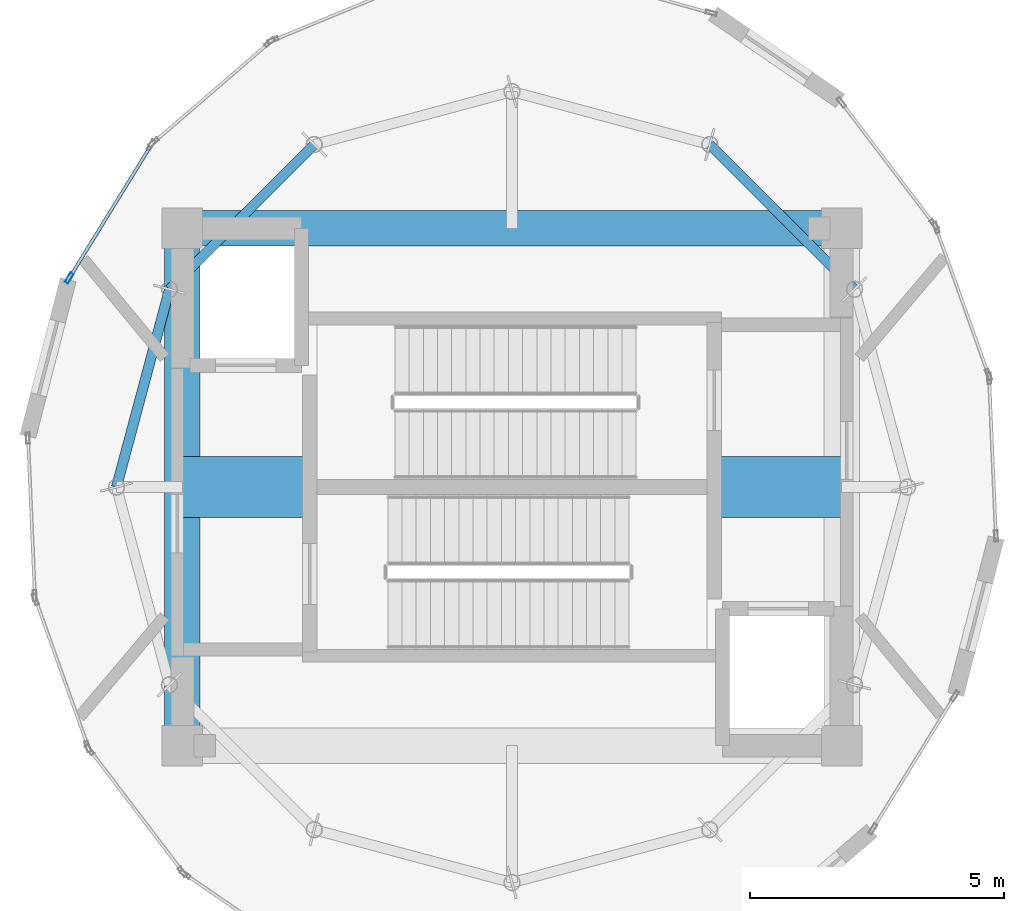
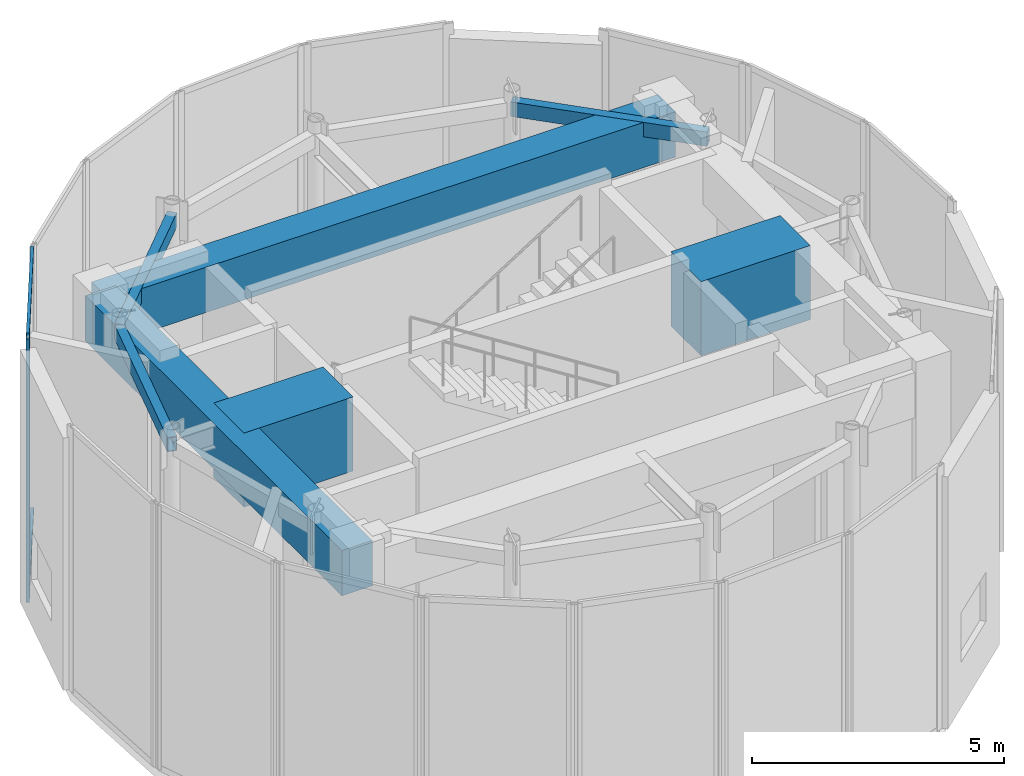
# One storey, part 3 of 8: 7 beams, 3 members, 1 element without a shape of its own.
"""IFC4 building model written with IfcOpenShell, lengths in metres."""

from ifc_helpers import new_model, si_unit, direction, frame, origin, origin_2d, place, context, subcontext, project, spatial, rectangle, hollow_rectangle, extrude, source, transform, mapped, material, layer, layer_set, material_profile, profile_set, type_object, element, aggregate, save


model = new_model("IFC4")

# Units and contexts
model_context = context("Model", 3, precision=1e-05, world=origin(), true_north=direction((0.0, 1.0)))
body_context = subcontext(model_context, "Body", "Model", "MODEL_VIEW")
ifc_project = project(units=[si_unit("LENGTHUNIT", "METRE"), si_unit("AREAUNIT", "SQUARE_METRE"), si_unit("VOLUMEUNIT", "CUBIC_METRE"), si_unit("PLANEANGLEUNIT", "RADIAN"), si_unit("MASSUNIT", "GRAM", prefix="KILO")], contexts=[model_context])

# Site, building, storey
site_placement = place(None, origin())
site = spatial("IfcSite", under=ifc_project, at=site_placement, CompositionType="ELEMENT")
building_placement = place(site_placement, origin())
building = spatial("IfcBuilding", under=site, at=building_placement, Name="Solvirekh Grand Hotel", CompositionType="ELEMENT")
storey_placement = place(building_placement, frame((0.0, 0.0, 327.39990234375)))
storey = spatial("IfcBuildingStorey", under=building, at=storey_placement, Name="L82", CompositionType="ELEMENT", Elevation=327.39990234375)

# Beams
ifc_material_1 = material(Name="Concrete C60/75", Category="concrete")
ifc_material_profile_1 = material_profile(ifc_material_1, rectangle(XDim=0.699951171875, YDim=1.10009765625, at=origin_2d()), Name="RC BEAM 700X1100")
ifc_profile_set_1 = profile_set([ifc_material_profile_1], Name="Concrete C60/75")
beam_type_1 = type_object("IfcBeamType", Name="Beam_Core_RC1100", PredefinedType="BEAM", material=ifc_profile_set_1)
beam_1_placement = place(storey_placement, frame((6.5, 5.10009765625, 5.570068359375), z_axis=(-1.0, 0.0, 0.0), x_axis=(0.0, -1.0, 0.0)))
element("IfcBeam", 1, at=beam_1_placement, inside=storey, type_object=beam_type_1, Name="L82 core coupling ring beam 3", PredefinedType="BEAM", context=body_context, shape_type="SweptSolid", body=[
    extrude(rectangle(XDim=0.699951171875, YDim=1.10009765625, at=origin_2d()), origin(), (0.0, 0.0, 1.0), 13.0),
])
beam_2_placement = place(storey_placement, frame((-6.5, 5.10009765625, 5.570068359375), z_axis=(0.0, -1.0, 0.0), x_axis=(1.0, 0.0, 0.0)))
element("IfcBeam", 2, at=beam_2_placement, inside=storey, type_object=beam_type_1, Name="L82 core coupling ring beam 4", PredefinedType="BEAM", context=body_context, shape_type="SweptSolid", body=[
    extrude(rectangle(XDim=0.699951171875, YDim=1.10009765625, at=origin_2d()), origin(), (0.0, 0.0, 1.0), 10.2001953125),
])
ifc_material_2 = material(Name="Steel S355", Category="steel")
ifc_material_profile_2 = material_profile(ifc_material_2, hollow_rectangle(XDim=0.199951171875, YDim=0.35009765625, WallThickness=0.013916015625, at=origin_2d()), Name="RHS 350X200X14")
ifc_profile_set_2 = profile_set([ifc_material_profile_2], Name="Steel S355")
beam_type_2 = type_object("IfcBeamType", Name="Spandrel_Crown_RHS350", PredefinedType="SPANDREL", material=ifc_profile_set_2)
for number, where, z_axis, x_axis, name in (
    (3, (6.7548828125, 3.89990234375, 5.945068359375), (-0.707106781187, 0.707106781187, 0.0), (-0.707106781187, -0.707106781187, 0.0), "L82 perimeter spandrel beam 2"),
    (4, (-3.89990234375, 6.7548828125, 5.945068359375), (-0.707106781187, -0.707106781187, 0.0), (0.707106781187, -0.707106781187, 0.0), "L82 perimeter spandrel beam 5"),
    (5, (-6.7548828125, 3.89990234375, 5.945068359375), (-0.258863027773, -0.965914040095, 0.0), (0.965914040095, -0.258863027773, 0.0), "L82 perimeter spandrel beam 6"),
):
    element("IfcBeam", number, at=place(storey_placement, frame(where, z_axis=z_axis, x_axis=x_axis)), inside=storey, type_object=beam_type_2, Name=name, PredefinedType="SPANDREL", context=body_context, shape_type="SweptSolid", body=[
        extrude(hollow_rectangle(XDim=0.199951171875, YDim=0.35009765625, WallThickness=0.013916015625, at=origin_2d()), origin(), (0.0, 0.0, 1.0), 4.03759765625),
    ])
ifc_material_profile_3 = material_profile(ifc_material_1, rectangle(XDim=1.199951171875, YDim=1.800048828125, at=origin_2d()), Name="RC GIRDER 1200X1800")
ifc_profile_set_3 = profile_set([ifc_material_profile_3], Name="Concrete C60/75")
beam_type_3 = type_object("IfcBeamType", Name="TransferGirder_RC1800", PredefinedType="USERDEFINED", material=ifc_profile_set_3)
for number, where, z_axis, x_axis, name in (
    (6, (-6.5, 0.0, 5.22021484375), (1.0, 0.0, 0.0), (0.0, 1.0, 0.0), "L82 west crown mast support tie girder"),
    (7, (3.989990234375, 0.0, 5.22021484375), (1.0, 0.0, 0.0), (0.0, 1.0, 0.0), "L82 east crown mast support tie girder"),
):
    element("IfcBeam", number, at=place(storey_placement, frame(where, z_axis=z_axis, x_axis=x_axis)), inside=storey, type_object=beam_type_3, Name=name, ObjectType="TRANSFER GIRDER", PredefinedType="USERDEFINED", context=body_context, shape_type="SweptSolid", body=[
        extrude(rectangle(XDim=1.199951171875, YDim=1.800048828125, at=origin_2d()), origin(), (0.0, 0.0, 1.0), 2.510009765625),
    ])

# Curtain wall, members
ifc_material_3 = material(Name="Anodized Bronze Aluminium 6063-T6", Category="aluminium")
ifc_layer = layer(ifc_material_3, 0.219970703125)
ifc_layer_set = layer_set([ifc_layer], Name="Anodized Bronze Aluminium 6063-T6")
curtain_wall_type = type_object("IfcCurtainWallType", Name="CW_Sys6_CrownFacetedPointCW", PredefinedType="NOTDEFINED", material=ifc_layer_set)
curtain_wall_placement = place(storey_placement, origin())
curtain_wall = element("IfcCurtainWall", 8, at=curtain_wall_placement, inside=storey, type_object=curtain_wall_type, Name="L82 unitised bronze-glass curtain wall CW-L82-C14", PredefinedType="NOTDEFINED")
ifc_material_profile_4 = material_profile(ifc_material_3, hollow_rectangle(XDim=0.074951171875, YDim=0.219970703125, WallThickness=0.006103515625, at=origin_2d()), Name="ALU RHS 220X75X6")
ifc_profile_set_4 = profile_set([ifc_material_profile_4], Name="Anodized Bronze Aluminium 6063-T6")
member_type_1 = type_object("IfcMemberType", Name="CWMullion_Sys6", PredefinedType="MULLION", material=ifc_profile_set_4)
shared_shape_1 = source(origin(), body_context, "Body", "SweptSolid", [
    extrude(hollow_rectangle(XDim=0.074951171875, YDim=0.219970703125, WallThickness=0.006103515625, at=origin_2d()), origin(), (0.0, 0.0, 1.0), 6.400146484375),
])
member_1_placement = place(storey_placement, frame((-8.7314453125, 4.120849609375, 0.0), z_axis=(0.0, 0.0, 1.0), x_axis=(0.851418700119, -0.524486603344, 0.0)))
member_1 = element("IfcMember", 9, at=member_1_placement, type_object=member_type_1, Name="U06 mullion 2", PredefinedType="MULLION", context=body_context, shape_type="MappedRepresentation", body=[
    mapped(shared_shape_1, transform((0.0, 0.0, 0.0), x_axis=(1.0, 0.0, 0.0), y_axis=(0.0, 1.0, 0.0), z_axis=(0.0, 0.0, 1.0), scale=1.0)),
])
ifc_material_profile_5 = material_profile(ifc_material_3, hollow_rectangle(XDim=0.06494140625, YDim=0.14990234375, WallThickness=0.0048828125, at=origin_2d()), Name="ALU RHS 150X65X5")
ifc_profile_set_5 = profile_set([ifc_material_profile_5], Name="Anodized Bronze Aluminium 6063-T6")
member_type_2 = type_object("IfcMemberType", Name="CWTransom_Sys6", PredefinedType="USERDEFINED", material=ifc_profile_set_5)
shared_shape_2 = source(origin(), body_context, "Body", "SweptSolid", [
    extrude(hollow_rectangle(XDim=0.06494140625, YDim=0.14990234375, WallThickness=0.0048828125, at=origin_2d()), origin(), (0.0, 0.0, 1.0), 3.003662109375),
])
member_2_placement = place(storey_placement, frame((-7.13623046875, 6.710205078125, 0.03271484375), z_axis=(-0.524500976956, -0.851409845593, 0.0), x_axis=(0.851409845593, -0.524500976956, 0.0)))
member_2 = element("IfcMember", 10, at=member_2_placement, type_object=member_type_2, Name="U06 transom 1.1", ObjectType="TRANSOM", PredefinedType="USERDEFINED", context=body_context, shape_type="MappedRepresentation", body=[
    mapped(shared_shape_2, transform((0.0, 0.0, 0.0), x_axis=(1.0, 0.0, 0.0), y_axis=(0.0, 1.0, 0.0), z_axis=(0.0, 0.0, 1.0), scale=1.0)),
])
member_3_placement = place(storey_placement, frame((-7.13623046875, 6.710205078125, 6.36767578125), z_axis=(-0.524500976956, -0.851409845593, 0.0), x_axis=(0.851409845593, -0.524500976956, 0.0)))
member_3 = element("IfcMember", 11, at=member_3_placement, type_object=member_type_2, Name="U06 transom 1.2", ObjectType="TRANSOM", PredefinedType="USERDEFINED", context=body_context, shape_type="MappedRepresentation", body=[
    mapped(shared_shape_2, transform((0.0, 0.0, 0.0), x_axis=(1.0, 0.0, 0.0), y_axis=(0.0, 1.0, 0.0), z_axis=(0.0, 0.0, 1.0), scale=1.0)),
])
aggregate(curtain_wall, [member_1, member_2, member_3])

save(model, "model.ifc")
